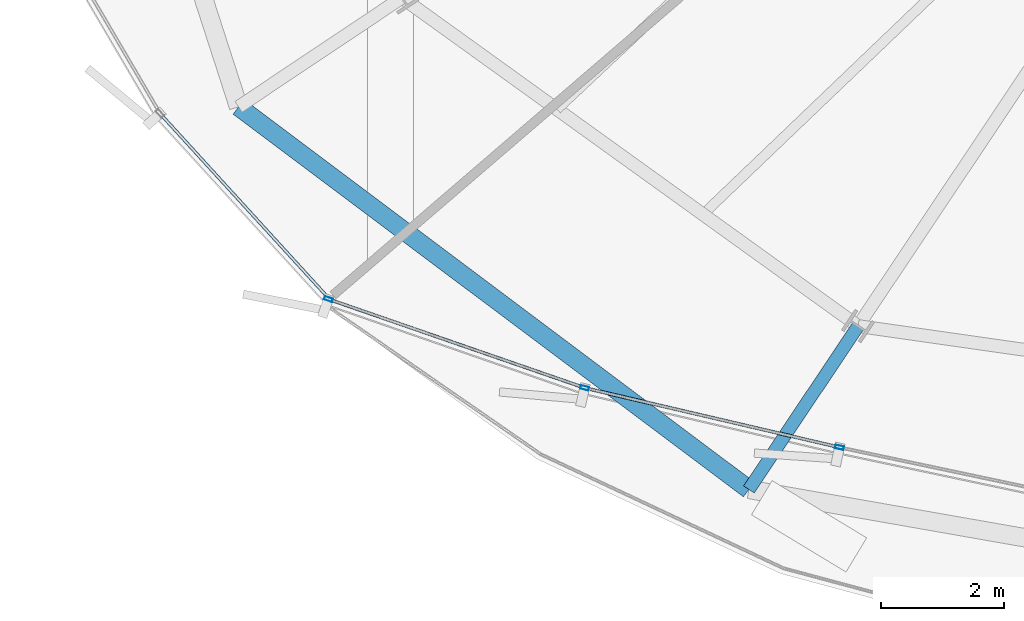
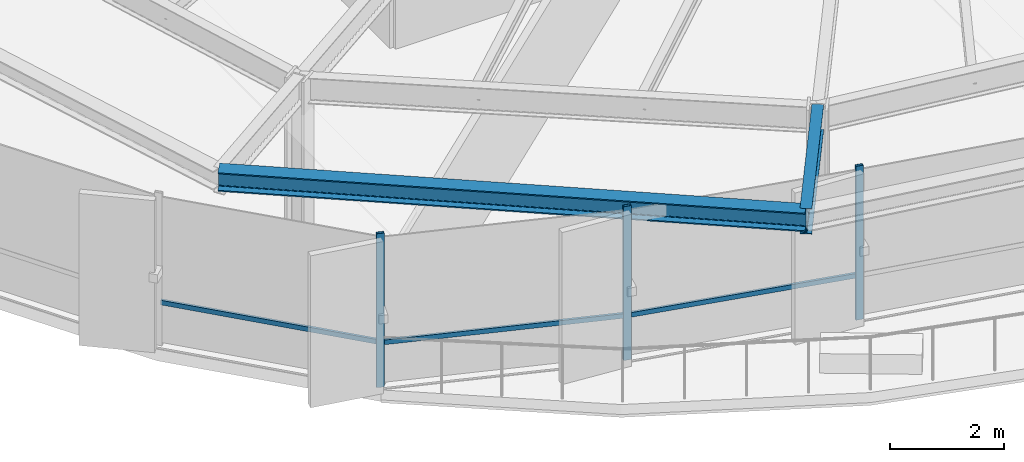
# One storey, part 2 of 37: 6 members, 2 beams, 1 element without a shape of its own.
"""IFC4 building model written with IfcOpenShell, lengths in metres."""

import ifcopenshell
import ifcopenshell.guid

model = None  # the IFC model being written
_history = None  # IfcOwnerHistory: only IFC2X3 demands one
_inside = {}  # id of a spatial element -> (the spatial element, [elements in it])
_under = {}  # id of a project, library or spatial element -> (it, [spatial elements below it])
_declared = {}  # id of a project -> (the project, [libraries it declares])
_typed = {}  # id of a type object -> (the type object, [elements of that type])
_made_of = {}  # id of a material, layer set ... -> (it, [elements and type objects made of it])


def new_model(schema):
    """Start an empty IFC model of exactly this schema.

    Asked for "IFC4X3", IfcOpenShell would pick the latest addendum, in which some entities
    have other attributes; the version numbers below select the first issue.
    IFC2X3 requires an IfcOwnerHistory on every rooted entity: one is made here for all.
    """
    global model, _history
    if schema == "IFC4X3":
        model = ifcopenshell.file(schema_version=(4, 3, 0, 0))
    else:
        model = ifcopenshell.file(schema=schema)
    _inside.clear()
    _under.clear()
    _declared.clear()
    _typed.clear()
    _made_of.clear()
    _history = None
    if model.schema == "IFC2X3":
        org = make("IfcOrganization", Name="unknown")
        user = make(
            "IfcPersonAndOrganization",
            ThePerson=make("IfcPerson", FamilyName="unknown"),
            TheOrganization=org,
        )
        app = make(
            "IfcApplication",
            ApplicationDeveloper=org,
            Version="unknown",
            ApplicationFullName="unknown",
            ApplicationIdentifier="unknown",
        )
        _history = make(
            "IfcOwnerHistory",
            OwningUser=user,
            OwningApplication=app,
            ChangeAction="ADDED",
            CreationDate=0,
        )
    return model


def make(cls, **values):
    """One entity of the class cls with the attributes given. An attribute that is None is left unset."""
    return model.create_entity(
        cls, **{name: value for name, value in values.items() if value is not None}
    )


def rooted(cls, **values):
    """An entity with a GlobalId (a new one), such as an element, a storey or a relation."""
    return make(cls, GlobalId=ifcopenshell.guid.new(), OwnerHistory=_history, **values)


def si_unit(unit_type, name, prefix=None):
    """IfcSIUnit, for example si_unit("LENGTHUNIT", "METRE", prefix="MILLI")."""
    return make("IfcSIUnit", UnitType=unit_type, Prefix=prefix, Name=name)


def assignment(units):
    """IfcUnitAssignment: the units of a project."""
    return None if units is None else make("IfcUnitAssignment", Units=units)


def point(xyz):
    """IfcCartesianPoint."""
    return None if xyz is None else make("IfcCartesianPoint", Coordinates=xyz)


def direction(xyz):
    """IfcDirection."""
    return None if xyz is None else make("IfcDirection", DirectionRatios=xyz)


def frame(location, z_axis=None, x_axis=None):
    """IfcAxis2Placement3D, a coordinate frame: its origin and axes. An axis left out is left unset."""
    return make(
        "IfcAxis2Placement3D",
        Location=point(location),
        Axis=direction(z_axis),
        RefDirection=direction(x_axis),
    )


def frame_2d(location, x_axis=None):
    """IfcAxis2Placement2D, a coordinate frame in the plane: its origin and x axis."""
    return make(
        "IfcAxis2Placement2D", Location=point(location), RefDirection=direction(x_axis)
    )


def origin():
    """The frame at (0, 0, 0) with its axes left unset."""
    return frame((0.0, 0.0, 0.0))


def origin_2d():
    """The frame at (0, 0) in the plane with its x axis left unset."""
    return frame_2d((0.0, 0.0))


def place(relative_to, where):
    """IfcLocalPlacement: puts the frame where relative to a parent placement (None: the world)."""
    return make(
        "IfcLocalPlacement", PlacementRelTo=relative_to, RelativePlacement=where
    )


def context(
    kind, dimensions, precision=None, world=None, true_north=None, identifier=None
):
    """IfcGeometricRepresentationContext, for example the 3D "Model" context."""
    return make(
        "IfcGeometricRepresentationContext",
        ContextIdentifier=identifier,
        ContextType=kind,
        CoordinateSpaceDimension=dimensions,
        Precision=precision,
        WorldCoordinateSystem=world,
        TrueNorth=true_north,
    )


def subcontext(parent, identifier, kind, view, scale=None):
    """IfcGeometricRepresentationSubContext, for example "Body" below "Model"."""
    return make(
        "IfcGeometricRepresentationSubContext",
        ContextIdentifier=identifier,
        ContextType=kind,
        ParentContext=parent,
        TargetScale=scale,
        TargetView=view,
    )


def project(units=None, contexts=None):
    """IfcProject with its units and contexts."""
    return rooted(
        "IfcProject",
        Name="project",
        RepresentationContexts=contexts,
        UnitsInContext=assignment(units),
    )


def spatial(cls, under=None, at=None, **own):
    """A site, building, storey or space (cls), placed at a placement, below another one or the project."""
    s = rooted(cls, ObjectPlacement=at, **own)
    if under is not None:
        _under.setdefault(under.id(), (under, []))[1].append(s)
    return s


def profile(cls, at=None, kind="AREA", **sizes):
    """A parametric profile (cls). Its sizes go by their IFC names, for example OverallWidth=200.0."""
    return make(cls, ProfileType=kind, Position=at, **sizes)


def hollow_rectangle(**sizes):
    """IfcRectangleHollowProfileDef."""
    return profile("IfcRectangleHollowProfileDef", **sizes)


def i_section(**sizes):
    """IfcIShapeProfileDef."""
    return profile("IfcIShapeProfileDef", **sizes)


def extrude(swept, where, along, depth):
    """IfcExtrudedAreaSolid: the profile swept, set in the frame where, extruded along a direction by depth."""
    return make(
        "IfcExtrudedAreaSolid",
        SweptArea=swept,
        Position=where,
        ExtrudedDirection=direction(along),
        Depth=depth,
    )


def shape(context_of_items, identifier, shape_type, items):
    """IfcShapeRepresentation: the items that make up one representation, for example the "Body"."""
    return make(
        "IfcShapeRepresentation",
        ContextOfItems=context_of_items,
        RepresentationIdentifier=identifier,
        RepresentationType=shape_type,
        Items=items,
    )


def source(mapping_origin, context_of_items, identifier, shape_type, items):
    """IfcRepresentationMap: a shape defined once, which mapped items show again and again."""
    return make(
        "IfcRepresentationMap",
        MappingOrigin=mapping_origin,
        MappedRepresentation=shape(context_of_items, identifier, shape_type, items),
    )


def transform(
    local_origin,
    x_axis=None,
    y_axis=None,
    z_axis=None,
    scale=None,
    scale2=None,
    scale3=None,
    uniform=True,
):
    """IfcCartesianTransformationOperator3D, or its non-uniform kind. x_axis, y_axis, z_axis: its Axis1, 2, 3."""
    if uniform:
        return make(
            "IfcCartesianTransformationOperator3D",
            Axis1=direction(x_axis),
            Axis2=direction(y_axis),
            LocalOrigin=point(local_origin),
            Scale=scale,
            Axis3=direction(z_axis),
        )
    return make(
        "IfcCartesianTransformationOperator3DnonUniform",
        Axis1=direction(x_axis),
        Axis2=direction(y_axis),
        LocalOrigin=point(local_origin),
        Scale=scale,
        Axis3=direction(z_axis),
        Scale2=scale2,
        Scale3=scale3,
    )


def mapped(mapping_source, mapping_target):
    """IfcMappedItem: shows the shape of a source again, moved by a transform."""
    return make(
        "IfcMappedItem", MappingSource=mapping_source, MappingTarget=mapping_target
    )


def material(Name=None, Category=None):
    """IfcMaterial."""
    return make("IfcMaterial", Name=Name, Category=Category)


def layer(
    of_material, thickness, ventilated=None, Name=None, Category=None, Priority=None
):
    """IfcMaterialLayer: one layer of a wall or slab, of a material (None: an air gap)."""
    return make(
        "IfcMaterialLayer",
        Material=of_material,
        LayerThickness=thickness,
        IsVentilated=ventilated,
        Name=Name,
        Category=Category,
        Priority=Priority,
    )


def layer_set(layers, Name=None):
    """IfcMaterialLayerSet."""
    return make("IfcMaterialLayerSet", MaterialLayers=layers, LayerSetName=Name)


def material_profile(
    of_material, cross_section, Name=None, Category=None, Priority=None
):
    """IfcMaterialProfile: a cross section and its material."""
    return make(
        "IfcMaterialProfile",
        Name=Name,
        Material=of_material,
        Profile=cross_section,
        Priority=Priority,
        Category=Category,
    )


def profile_set(profiles, Name=None, composite=None):
    """IfcMaterialProfileSet."""
    return make(
        "IfcMaterialProfileSet",
        Name=Name,
        MaterialProfiles=profiles,
        CompositeProfile=composite,
    )


def made_of(thing, what):
    """Note that an element or type object is made of a material, layer set ...; save() writes the relation."""
    if what is not None:
        _made_of.setdefault(what.id(), (what, []))[1].append(thing)
    return thing


def type_object(cls, material=None, **own):
    """A type object (cls), such as IfcWallType, which elements share."""
    return made_of(rooted(cls, **own), material)


def element(
    cls,
    number,
    at=None,
    inside=None,
    cuts=None,
    type_object=None,
    material=None,
    context=None,
    identifier="Body",
    shape_type=None,
    held_by="IfcProductDefinitionShape",
    body=None,
    shapes=None,
    **own,
):
    """One element of the class cls, such as IfcWall. Its Tag is "e" and its number.

    at: its placement. inside: the storey or other place that contains it. cuts: it is an
    opening in that element (IfcRelVoidsElement). A single representation is given by context,
    identifier, shape_type and body (its items); several are given by shapes. held_by: the class
    of the entity that holds the representations. save() writes the other relations.
    """
    e = rooted(cls, Tag="e%d" % number, ObjectPlacement=at, **own)
    if body is not None:
        shapes = [shape(context, identifier, shape_type, body)]
    if shapes is not None:
        e.Representation = make(held_by, Representations=shapes)
    if inside is not None:
        _inside.setdefault(inside.id(), (inside, []))[1].append(e)
    if cuts is not None:
        rooted(
            "IfcRelVoidsElement", RelatingBuildingElement=cuts, RelatedOpeningElement=e
        )
    if type_object is not None:
        _typed.setdefault(type_object.id(), (type_object, []))[1].append(e)
    return made_of(e, material)


def aggregate(whole, parts):
    """IfcRelAggregates: a whole, such as a stair, and the parts it consists of."""
    return rooted("IfcRelAggregates", RelatingObject=whole, RelatedObjects=parts)


def save(model, path):
    """Write the relations noted so far, then the file.

    IfcRelAggregates (storeys below a building ...), IfcRelContainedInSpatialStructure (elements
    in a storey), IfcRelDefinesByType, IfcRelAssociatesMaterial and IfcRelDeclares: one each for
    every whole, place, type object, material and project.
    """
    for whole, parts in _under.values():
        aggregate(whole, parts)
    for where, things in _inside.values():
        rooted(
            "IfcRelContainedInSpatialStructure",
            RelatedElements=things,
            RelatingStructure=where,
        )
    for kind, things in _typed.values():
        rooted("IfcRelDefinesByType", RelatedObjects=things, RelatingType=kind)
    for what, things in _made_of.values():
        rooted("IfcRelAssociatesMaterial", RelatedObjects=things, RelatingMaterial=what)
    for by, libraries in _declared.values():
        rooted("IfcRelDeclares", RelatingContext=by, RelatedDefinitions=libraries)
    model.write(path)


model = new_model("IFC4")

# Units and contexts
model_context = context("Model", 3, precision=1e-05, world=origin(), true_north=direction((0.0, 1.0)))
body_context = subcontext(model_context, "Body", "Model", "MODEL_VIEW")
ifc_project = project(units=[si_unit("LENGTHUNIT", "METRE"), si_unit("AREAUNIT", "SQUARE_METRE"), si_unit("VOLUMEUNIT", "CUBIC_METRE"), si_unit("PLANEANGLEUNIT", "RADIAN"), si_unit("MASSUNIT", "GRAM", prefix="KILO"), si_unit("THERMODYNAMICTEMPERATUREUNIT", "KELVIN")], contexts=[model_context])

# Site, building, storey
site_placement = place(None, origin())
site = spatial("IfcSite", under=ifc_project, at=site_placement, CompositionType="ELEMENT")
building_placement = place(site_placement, origin())
building = spatial("IfcBuilding", under=site, at=building_placement, Name="Kethvar Cultural Tower", CompositionType="ELEMENT")
storey_placement = place(building_placement, frame((0.0, 0.0, 132.35009765625)))
storey = spatial("IfcBuildingStorey", under=building, at=storey_placement, Name="L33", CompositionType="ELEMENT", Elevation=132.35009765625)

# Beams
ifc_material_1 = material(Name="Steel S355J2", Category="steel")
ifc_material_profile_1 = material_profile(ifc_material_1, i_section(OverallWidth=0.2099609375, OverallDepth=0.550048828125, WebThickness=0.010986328125, FlangeThickness=0.01708984375, FilletRadius=0.02392578125, at=origin_2d()), Name="Steel S355J2 — IPE550")
ifc_profile_set_1 = profile_set([ifc_material_profile_1], Name="Steel S355J2 — IPE550")
beam_type_1 = type_object("IfcBeamType", Name="BM-IPE550", PredefinedType="BEAM", material=ifc_profile_set_1)
shared_shape_1 = source(origin(), body_context, "Body", "SweptSolid", [
    extrude(i_section(OverallWidth=0.2099609375, OverallDepth=0.550048828125, WebThickness=0.010986328125, FlangeThickness=0.01708984375, FilletRadius=0.02392578125, at=origin_2d()), origin(), (0.0, 0.0, 1.0), 3.199951171875),
])
beam_1_placement = place(storey_placement, frame((34.350830078125, 9.16845703125, 3.02294921875), z_axis=(-0.555580212716, -0.831462943996, 0.0), x_axis=(0.831462943996, -0.555580212716, 0.0)))
element("IfcBeam", 1, at=beam_1_placement, inside=storey, type_object=beam_type_1, Name="L33 Perimeter Cantilever Beam RC-11", PredefinedType="BEAM", context=body_context, shape_type="MappedRepresentation", body=[
    mapped(shared_shape_1, transform((0.0, 0.0, 0.0), scale=1.0)),
])
ifc_material_profile_2 = material_profile(ifc_material_1, i_section(OverallWidth=0.300048828125, OverallDepth=0.39990234375, WebThickness=0.013427734375, FlangeThickness=0.02392578125, FilletRadius=0.027099609375, at=origin_2d()), Name="Steel S355J2 — HEB400")
ifc_profile_set_2 = profile_set([ifc_material_profile_2], Name="Steel S355J2 — HEB400")
beam_type_2 = type_object("IfcBeamType", Name="BM-SP400", PredefinedType="SPANDREL", material=ifc_profile_set_2)
shared_shape_2 = source(origin(), body_context, "Body", "SweptSolid", [
    extrude(i_section(OverallWidth=0.300048828125, OverallDepth=0.39990234375, WebThickness=0.013427734375, FlangeThickness=0.02392578125, FilletRadius=0.027099609375, at=origin_2d()), origin(), (0.0, 0.0, 1.0), 10.38916015625),
])
beam_2_placement = place(storey_placement, frame((24.260009765625, 12.7392578125, 3.097900390625), z_axis=(0.800152249906, -0.599796946449, 0.0), x_axis=(0.599796946449, 0.800152249906, 0.0)))
element("IfcBeam", 2, at=beam_2_placement, inside=storey, type_object=beam_type_2, Name="L33 Perimeter Spandrel Beam SP-10", PredefinedType="SPANDREL", context=body_context, shape_type="MappedRepresentation", body=[
    mapped(shared_shape_2, transform((0.0, 0.0, 0.0), scale=1.0)),
])

# Curtain wall, members
ifc_material_2 = material(Name="Aluminium 6063-T6", Category="aluminium")
ifc_layer = layer(ifc_material_2, 0.179931640625, Name="Aluminium 6063-T6", Category="aluminium")
ifc_layer_set = layer_set([ifc_layer], Name="Aluminium 6063-T6 (180 mm)")
curtain_wall_type = type_object("IfcCurtainWallType", Name="CW-SYS-04-Z34", PredefinedType="NOTDEFINED", material=ifc_layer_set)
curtain_wall_placement = place(storey_placement, origin())
curtain_wall = element("IfcCurtainWall", 3, at=curtain_wall_placement, inside=storey, type_object=curtain_wall_type, Name="L33 Curtain Wall Run 04", PredefinedType="NOTDEFINED")
ifc_material_profile_3 = material_profile(ifc_material_2, hollow_rectangle(XDim=0.06005859375, YDim=0.139892578125, WallThickness=0.0048828125, at=origin_2d()), Name="Aluminium 6063-T6 — RHS140x60x5")
ifc_profile_set_3 = profile_set([ifc_material_profile_3], Name="Aluminium 6063-T6 — RHS140x60x5")
member_type_1 = type_object("IfcMemberType", Name="CW-SYS-04-Z34-MUL", PredefinedType="MULLION", material=ifc_profile_set_3)
shared_shape_3 = source(origin(), body_context, "Body", "SweptSolid", [
    extrude(hollow_rectangle(XDim=0.06005859375, YDim=0.139892578125, WallThickness=0.0048828125, at=origin_2d()), origin(), (0.0, 0.0, 1.0), 3.2998046875),
])
member_1_placement = place(storey_placement, frame((25.72314453125, 9.6064453125, 0.0), z_axis=(0.0, 0.0, 1.0), x_axis=(0.327250883719, 0.944937489522, 0.0)))
member_1 = element("IfcMember", 4, at=member_1_placement, type_object=member_type_1, Name="CW-L33-R04 Mullion 3", PredefinedType="MULLION", context=body_context, shape_type="MappedRepresentation", body=[
    mapped(shared_shape_3, transform((0.0, 0.0, 0.0), scale=1.0)),
])
member_2_placement = place(storey_placement, frame((29.8974609375, 8.16015625, 0.0), z_axis=(0.0, 0.0, 1.0), x_axis=(0.227212239699, 0.973845263957, 0.0)))
member_2 = element("IfcMember", 5, at=member_2_placement, type_object=member_type_1, Name="CW-L33-R04 Mullion 4", PredefinedType="MULLION", context=body_context, shape_type="MappedRepresentation", body=[
    mapped(shared_shape_3, transform((0.0, 0.0, 0.0), scale=1.0)),
])
member_3_placement = place(storey_placement, frame((34.047119140625, 7.19189453125, 0.0), z_axis=(0.0, 0.0, 1.0), x_axis=(0.207092166936, 0.978321437153, 0.0)))
member_3 = element("IfcMember", 6, at=member_3_placement, type_object=member_type_1, Name="CW-L33-R04 Mullion 5", PredefinedType="MULLION", context=body_context, shape_type="MappedRepresentation", body=[
    mapped(shared_shape_3, transform((0.0, 0.0, 0.0), scale=1.0)),
])
ifc_material_profile_4 = material_profile(ifc_material_2, hollow_rectangle(XDim=0.050048828125, YDim=0.10009765625, WallThickness=0.00390625, at=origin_2d()), Name="Aluminium 6063-T6 — RHS100x50x4")
ifc_profile_set_4 = profile_set([ifc_material_profile_4], Name="Aluminium 6063-T6 — RHS100x50x4")
member_type_2 = type_object("IfcMemberType", Name="CW-SYS-04-Z34-TRN", PredefinedType="USERDEFINED", material=ifc_profile_set_4)
shared_shape_4 = source(origin(), body_context, "Body", "SweptSolid", [
    extrude(hollow_rectangle(XDim=0.050048828125, YDim=0.10009765625, WallThickness=0.00390625, at=origin_2d()), origin(), (0.0, 0.0, 1.0), 4.05078125),
])
member_4_placement = place(storey_placement, frame((23.0078125, 12.60009765625, 0.949951171875), z_axis=(0.67428508341, -0.738471141136, 0.0), x_axis=(0.738471141136, 0.67428508341, 0.0)))
member_4 = element("IfcMember", 7, at=member_4_placement, type_object=member_type_2, Name="CW-L33-R04 Transom 2", ObjectType="TRANSOM", PredefinedType="USERDEFINED", context=body_context, shape_type="MappedRepresentation", body=[
    mapped(shared_shape_4, transform((0.0, 0.0, 0.0), scale=1.0)),
])
shared_shape_5 = source(origin(), body_context, "Body", "SweptSolid", [
    extrude(hollow_rectangle(XDim=0.050048828125, YDim=0.10009765625, WallThickness=0.00390625, at=origin_2d()), origin(), (0.0, 0.0, 1.0), 4.3427734375),
])
member_5_placement = place(storey_placement, frame((25.763916015625, 9.59228515625, 0.949951171875), z_axis=(0.944942621732, -0.327236064079, 0.0), x_axis=(0.327236064079, 0.944942621732, 0.0)))
member_5 = element("IfcMember", 8, at=member_5_placement, type_object=member_type_2, Name="CW-L33-R04 Transom 3", ObjectType="TRANSOM", PredefinedType="USERDEFINED", context=body_context, shape_type="MappedRepresentation", body=[
    mapped(shared_shape_5, transform((0.0, 0.0, 0.0), scale=1.0)),
])
shared_shape_6 = source(origin(), body_context, "Body", "SweptSolid", [
    extrude(hollow_rectangle(XDim=0.050048828125, YDim=0.10009765625, WallThickness=0.00390625, at=origin_2d()), origin(), (0.0, 0.0, 1.0), 4.1767578125),
])
member_6_placement = place(storey_placement, frame((29.939697265625, 8.150390625, 0.949951171875), z_axis=(0.97384853868, -0.22719820358, 0.0), x_axis=(0.22719820358, 0.97384853868, 0.0)))
member_6 = element("IfcMember", 9, at=member_6_placement, type_object=member_type_2, Name="CW-L33-R04 Transom 4", ObjectType="TRANSOM", PredefinedType="USERDEFINED", context=body_context, shape_type="MappedRepresentation", body=[
    mapped(shared_shape_6, transform((0.0, 0.0, 0.0), scale=1.0)),
])
aggregate(curtain_wall, [member_1, member_2, member_3, member_4, member_5, member_6])

save(model, "model.ifc")
